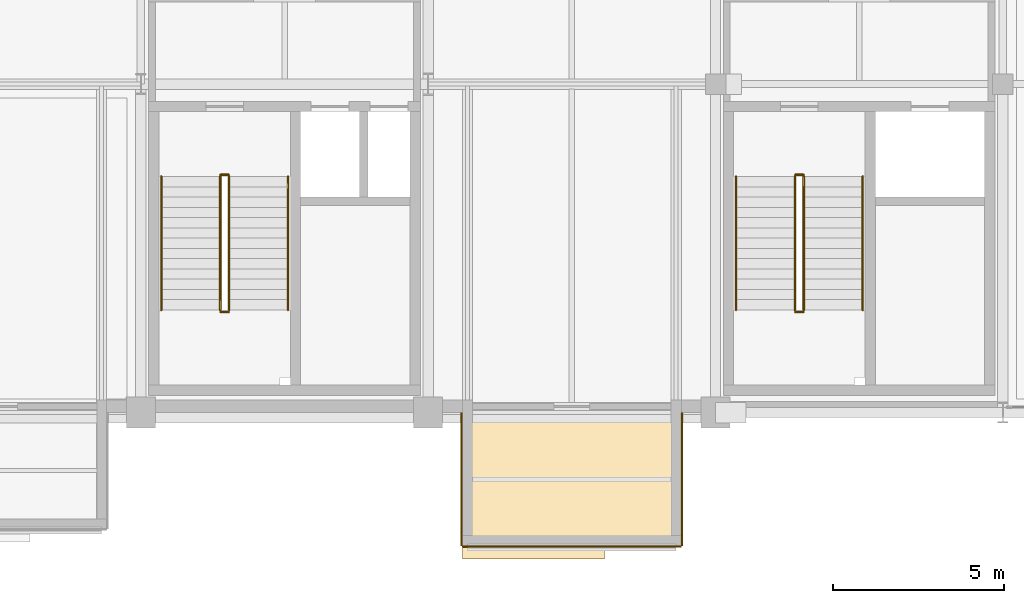
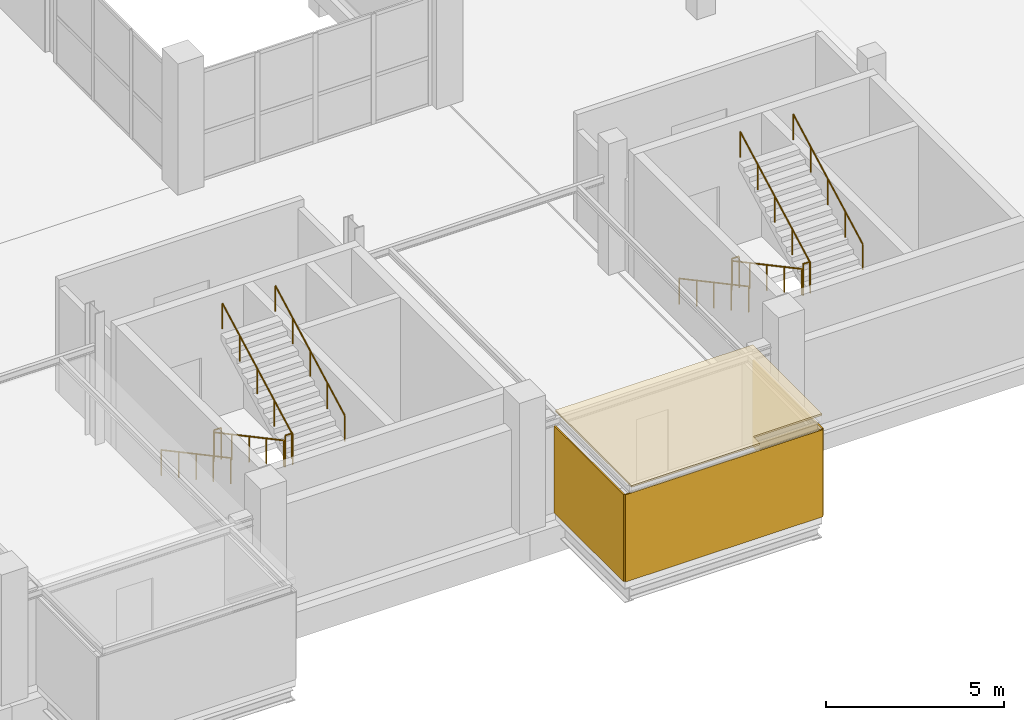
# One storey, part 126 of 130: 12 railings, 4 coverings.
"""IFC4 building model written with IfcOpenShell, lengths in metres."""

from ifc_helpers import new_model, si_unit, direction, frame, frame_2d, origin, origin_2d, place, context, subcontext, project, spatial, polyline, rectangle, circle, outline, extrude, material, layer, layer_set, type_object, element, save


model = new_model("IFC4")

# Units and contexts
model_context = context("Model", 3, precision=1e-05, world=origin(), true_north=direction((0.0, 1.0)))
body_context = subcontext(model_context, "Body", "Model", "MODEL_VIEW")
ifc_project = project(units=[si_unit("LENGTHUNIT", "METRE"), si_unit("AREAUNIT", "SQUARE_METRE"), si_unit("VOLUMEUNIT", "CUBIC_METRE"), si_unit("PLANEANGLEUNIT", "RADIAN"), si_unit("MASSUNIT", "GRAM", prefix="KILO")], contexts=[model_context])

# Site, building, storey
site_placement = place(None, origin())
site = spatial("IfcSite", under=ifc_project, at=site_placement, CompositionType="ELEMENT")
building_placement = place(site_placement, origin())
building = spatial("IfcBuilding", under=site, at=building_placement, Name="Veltarok Museum of Natural Sciences", CompositionType="ELEMENT")
storey_placement = place(building_placement, frame((0.0, 0.0, 12.89990234375)))
storey = spatial("IfcBuildingStorey", under=building, at=storey_placement, Name="L02", CompositionType="ELEMENT", Elevation=12.89990234375)

# Coverings
ifc_material_1 = material(Name="Corrugated zinc cladding")
ifc_layer_1 = layer(ifc_material_1, 0.044921875)
ifc_layer_set_1 = layer_set([ifc_layer_1], Name="Corrugated zinc cladding")
covering_type_1 = type_object("IfcCoveringType", Name="Corrugated Titanium-Zinc Rainscreen Cladding 45", PredefinedType="CLADDING", material=ifc_layer_set_1)
covering_1_placement = place(storey_placement, frame((99.800048828125, -3.922119140625, 0.0), z_axis=(0.0, 0.0, 1.0), x_axis=(1.0, 0.0, 0.0)))
element("IfcCovering", 1, at=covering_1_placement, inside=storey, type_object=covering_type_1, Name="Corrugated Zinc Cladding DB-11-S", PredefinedType="CLADDING", context=body_context, shape_type="SweptSolid", body=[
    extrude(rectangle(XDim=6.39990234375, YDim=0.044921875, at=frame_2d((3.199951171875, 0.0))), origin(), (0.0, 0.0, 1.0), 2.989990234375),
])
for number, where, z_axis, x_axis, name in (
    (2, (99.778076171875, 0.0, 0.0), (0.0, 0.0, 1.0), (0.0, -1.0, 0.0), "Corrugated Zinc Cladding DB-11-W"),
    (3, (106.221923828125, -3.89990234375, 0.0), (0.0, 0.0, 1.0), (0.0, 1.0, 0.0), "Corrugated Zinc Cladding DB-11-E"),
):
    element("IfcCovering", number, at=place(storey_placement, frame(where, z_axis=z_axis, x_axis=x_axis)), inside=storey, type_object=covering_type_1, Name=name, PredefinedType="CLADDING", context=body_context, shape_type="SweptSolid", body=[
        extrude(rectangle(XDim=3.89990234375, YDim=0.044921875, at=frame_2d((1.949951171875, 0.0))), origin(), (0.0, 0.0, 1.0), 2.989990234375),
    ])
ifc_material_2 = material(Name="EPDM waterproofing membrane")
ifc_layer_2 = layer(ifc_material_2, 0.06005859375)
ifc_layer_set_2 = layer_set([ifc_layer_2], Name="EPDM waterproofing membrane")
covering_type_2 = type_object("IfcCoveringType", Name="EPDM Waterproofing and Acoustic Roof Membrane 60", PredefinedType="ROOFING", material=ifc_layer_set_2)
covering_2_placement = place(storey_placement, frame((0.0, 0.0, 3.4501953125)))
element("IfcCovering", 4, at=covering_2_placement, inside=storey, type_object=covering_type_2, Name="Cabinet Box Roof Membrane DB-11", PredefinedType="ROOFING", context=body_context, shape_type="SweptSolid", body=[
    extrude(outline(polyline([(99.800048828125, -4.280029296875), (103.9599609375, -4.280029296875), (103.9599609375, -3.89990234375), (106.199951171875, -3.89990234375), (106.199951171875, 0.0), (99.800048828125, 0.0), (99.800048828125, -4.280029296875)])), origin(), (0.0, 0.0, 1.0), 0.059814453125),
])

# Railings
ifc_material_3 = material(Name="Steel S355J2", Category="steel")
railing_type_1 = type_object("IfcRailingType", Name="Interior Atrium and Stairwell Guardrail 1100", PredefinedType="GUARDRAIL", material=ifc_material_3)
for number, where, name in (
    (5, (92.72998046875, 6.949951171875, 0.0), "Stairwell Floor Guard ST-02 L02"),
    (6, (92.72998046875, 2.93994140625, 2.25), "Landing Well Guard ST-02-L02-L1"),
    (7, (109.530029296875, 6.949951171875, 0.0), "Stairwell Floor Guard ST-04 L02"),
    (8, (109.530029296875, 2.93994140625, 2.25), "Landing Well Guard ST-04-L02-L1"),
):
    element("IfcRailing", number, at=place(storey_placement, frame(where)), inside=storey, type_object=railing_type_1, Name=name, PredefinedType="GUARDRAIL", context=body_context, shape_type="SweptSolid", body=[
        extrude(circle(Radius=0.02392578125, at=origin_2d()), frame((0.0, 0.0, 1.076171875), z_axis=(1.0, 0.0, 0.0), x_axis=(0.0, 1.0, 0.0)), (0.0, 0.0, 1.0), 0.239990234375),
        extrude(circle(Radius=0.02099609375, at=origin_2d()), origin(), (0.0, 0.0, 1.0), 1.052001953125),
        extrude(circle(Radius=0.02099609375, at=origin_2d()), frame((0.239990234375, 0.0, 0.0)), (0.0, 0.0, 1.0), 1.052001953125),
    ])
railing_type_2 = type_object("IfcRailingType", Name="Stair Flight Tubular Steel Handrail 900", PredefinedType="HANDRAIL", material=ifc_material_3)
for number, where, name in (
    (9, (91.0, 6.89990234375, 0.160888671875), "Stair Handrail ST-02-L02-F1L"),
    (10, (92.719970703125, 6.89990234375, 0.160888671875), "Stair Handrail ST-02-L02-F1R"),
):
    element("IfcRailing", number, at=place(storey_placement, frame(where)), inside=storey, type_object=railing_type_2, Name=name, PredefinedType="HANDRAIL", context=body_context, shape_type="SweptSolid", body=[
        extrude(circle(Radius=0.02392578125, at=origin_2d()), frame((0.0, 0.0, 0.8759765625), z_axis=(0.0, -0.881491454809, 0.472199973632), x_axis=(1.0, 0.0, 0.0)), (0.0, 0.0, 1.0), 4.42431640625),
        extrude(circle(Radius=0.02099609375, at=origin_2d()), origin(), (0.0, 0.0, 1.0), 0.851806640625),
        extrude(circle(Radius=0.02099609375, at=origin_2d()), frame((0.0, -0.97509765625, 0.522216796875)), (0.0, 0.0, 1.0), 0.851806640625),
        extrude(circle(Radius=0.02099609375, at=origin_2d()), frame((0.0, -1.949951171875, 1.04443359375)), (0.0, 0.0, 1.0), 0.851806640625),
        extrude(circle(Radius=0.02099609375, at=origin_2d()), frame((0.0, -2.9248046875, 1.56689453125)), (0.0, 0.0, 1.0), 0.851806640625),
        extrude(circle(Radius=0.02099609375, at=origin_2d()), frame((0.0, -3.89990234375, 2.089111328125)), (0.0, 0.0, 1.0), 0.851806640625),
    ])
for number, where, name in (
    (11, (92.97998046875, 3.0, 2.410888671875), "Stair Handrail ST-02-L02-F2L"),
    (12, (94.699951171875, 3.0, 2.410888671875), "Stair Handrail ST-02-L02-F2R"),
):
    element("IfcRailing", number, at=place(storey_placement, frame(where)), inside=storey, type_object=railing_type_2, Name=name, PredefinedType="HANDRAIL", context=body_context, shape_type="SweptSolid", body=[
        extrude(circle(Radius=0.02392578125, at=origin_2d()), frame((0.0, 0.0, 0.8759765625), z_axis=(0.0, 0.881491454809, 0.472199973632), x_axis=(-1.0, 0.0, 0.0)), (0.0, 0.0, 1.0), 4.42431640625),
        extrude(circle(Radius=0.02099609375, at=origin_2d()), origin(), (0.0, 0.0, 1.0), 0.851806640625),
        extrude(circle(Radius=0.02099609375, at=origin_2d()), frame((0.0, 0.97509765625, 0.522216796875)), (0.0, 0.0, 1.0), 0.851806640625),
        extrude(circle(Radius=0.02099609375, at=origin_2d()), frame((0.0, 1.949951171875, 1.04443359375)), (0.0, 0.0, 1.0), 0.851806640625),
        extrude(circle(Radius=0.02099609375, at=origin_2d()), frame((0.0, 2.9248046875, 1.56689453125)), (0.0, 0.0, 1.0), 0.851806640625),
        extrude(circle(Radius=0.02099609375, at=origin_2d()), frame((0.0, 3.89990234375, 2.089111328125)), (0.0, 0.0, 1.0), 0.851806640625),
    ])
for number, where, name in (
    (13, (107.800048828125, 6.89990234375, 0.160888671875), "Stair Handrail ST-04-L02-F1L"),
    (14, (109.52001953125, 6.89990234375, 0.160888671875), "Stair Handrail ST-04-L02-F1R"),
):
    element("IfcRailing", number, at=place(storey_placement, frame(where)), inside=storey, type_object=railing_type_2, Name=name, PredefinedType="HANDRAIL", context=body_context, shape_type="SweptSolid", body=[
        extrude(circle(Radius=0.02392578125, at=origin_2d()), frame((0.0, 0.0, 0.8759765625), z_axis=(0.0, -0.881491454809, 0.472199973632), x_axis=(1.0, 0.0, 0.0)), (0.0, 0.0, 1.0), 4.42431640625),
        extrude(circle(Radius=0.02099609375, at=origin_2d()), origin(), (0.0, 0.0, 1.0), 0.851806640625),
        extrude(circle(Radius=0.02099609375, at=origin_2d()), frame((0.0, -0.97509765625, 0.522216796875)), (0.0, 0.0, 1.0), 0.851806640625),
        extrude(circle(Radius=0.02099609375, at=origin_2d()), frame((0.0, -1.949951171875, 1.04443359375)), (0.0, 0.0, 1.0), 0.851806640625),
        extrude(circle(Radius=0.02099609375, at=origin_2d()), frame((0.0, -2.9248046875, 1.56689453125)), (0.0, 0.0, 1.0), 0.851806640625),
        extrude(circle(Radius=0.02099609375, at=origin_2d()), frame((0.0, -3.89990234375, 2.089111328125)), (0.0, 0.0, 1.0), 0.851806640625),
    ])
for number, where, name in (
    (15, (109.780029296875, 3.0, 2.410888671875), "Stair Handrail ST-04-L02-F2L"),
    (16, (111.5, 3.0, 2.410888671875), "Stair Handrail ST-04-L02-F2R"),
):
    element("IfcRailing", number, at=place(storey_placement, frame(where)), inside=storey, type_object=railing_type_2, Name=name, PredefinedType="HANDRAIL", context=body_context, shape_type="SweptSolid", body=[
        extrude(circle(Radius=0.02392578125, at=origin_2d()), frame((0.0, 0.0, 0.8759765625), z_axis=(0.0, 0.881491454809, 0.472199973632), x_axis=(-1.0, 0.0, 0.0)), (0.0, 0.0, 1.0), 4.42431640625),
        extrude(circle(Radius=0.02099609375, at=origin_2d()), origin(), (0.0, 0.0, 1.0), 0.851806640625),
        extrude(circle(Radius=0.02099609375, at=origin_2d()), frame((0.0, 0.97509765625, 0.522216796875)), (0.0, 0.0, 1.0), 0.851806640625),
        extrude(circle(Radius=0.02099609375, at=origin_2d()), frame((0.0, 1.949951171875, 1.04443359375)), (0.0, 0.0, 1.0), 0.851806640625),
        extrude(circle(Radius=0.02099609375, at=origin_2d()), frame((0.0, 2.9248046875, 1.56689453125)), (0.0, 0.0, 1.0), 0.851806640625),
        extrude(circle(Radius=0.02099609375, at=origin_2d()), frame((0.0, 3.89990234375, 2.089111328125)), (0.0, 0.0, 1.0), 0.851806640625),
    ])

save(model, "model.ifc")
